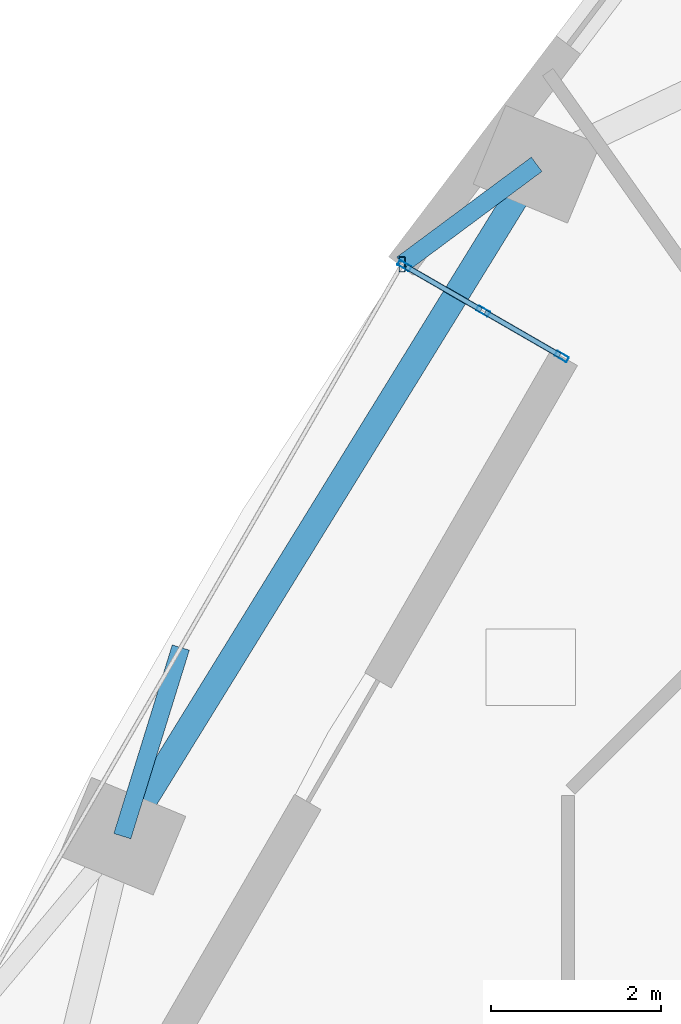
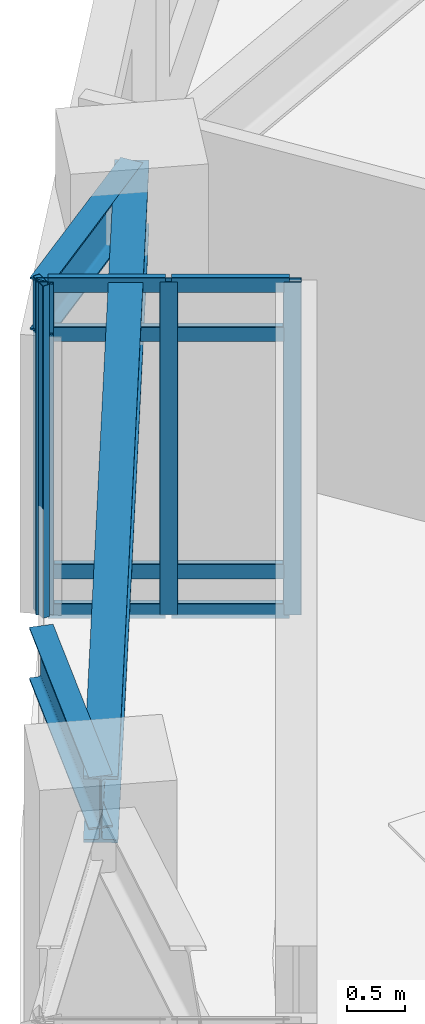
# One storey, part 3 of 12: 12 members, 3 beams, 1 element without a shape of its own.
"""IFC4 building model written with IfcOpenShell, lengths in metres."""

from ifc_helpers import new_model, si_unit, direction, frame, origin, origin_2d, place, context, subcontext, project, spatial, hollow_rectangle, i_section, extrude, material, layer, layer_set, material_profile, profile_set, type_object, element, aggregate, save


model = new_model("IFC4")

# Units and contexts
model_context = context("Model", 3, precision=1e-05, world=origin(), true_north=direction((0.0, 1.0)))
body_context = subcontext(model_context, "Body", "Model", "MODEL_VIEW")
ifc_project = project(units=[si_unit("LENGTHUNIT", "METRE"), si_unit("AREAUNIT", "SQUARE_METRE"), si_unit("VOLUMEUNIT", "CUBIC_METRE"), si_unit("PLANEANGLEUNIT", "RADIAN"), si_unit("MASSUNIT", "GRAM", prefix="KILO")], contexts=[model_context])

# Site, building, storey
site_placement = place(None, origin())
site = spatial("IfcSite", under=ifc_project, at=site_placement, CompositionType="ELEMENT")
building_placement = place(site_placement, origin())
building = spatial("IfcBuilding", under=site, at=building_placement, Name="Ndelora Gate Hotel", CompositionType="ELEMENT")
storey_placement = place(building_placement, frame((0.0, 0.0, 38.0)))
storey = spatial("IfcBuildingStorey", under=building, at=storey_placement, Name="L08", CompositionType="ELEMENT", Elevation=38.0)

# Beams
ifc_material_1 = material(Name="Steel S355", Category="steel")
ifc_material_profile_1 = material_profile(ifc_material_1, i_section(OverallWidth=0.2099609375, OverallDepth=0.550048828125, WebThickness=0.010986328125, FlangeThickness=0.01708984375, FilletRadius=0.02392578125, at=origin_2d()), Name="IPE 550")
ifc_profile_set_1 = profile_set([ifc_material_profile_1], Name="Steel S355")
beam_type_1 = type_object("IfcBeamType", Name="BM-RAD-550", PredefinedType="BEAM", material=ifc_profile_set_1)
beam_1_placement = place(storey_placement, frame((-11.1484375, 14.529052734375, 3.22509765625), z_axis=(-0.802801463818, -0.596246433693, 0.0), x_axis=(0.596246433693, -0.802801463818, 0.0)))
element("IfcBeam", 1, at=beam_1_placement, inside=storey, type_object=beam_type_1, Name="L08 Sky-Garden Loggia Column Bracket 1", PredefinedType="BEAM", context=body_context, shape_type="SweptSolid", body=[
    extrude(i_section(OverallWidth=0.2099609375, OverallDepth=0.550048828125, WebThickness=0.010986328125, FlangeThickness=0.01708984375, FilletRadius=0.02392578125, at=origin_2d()), origin(), (0.0, 0.0, 1.0), 1.97021484375),
])
beam_2_placement = place(storey_placement, frame((-16.016845703125, 6.634521484375, 3.22509765625), z_axis=(0.295985494435, 0.955192434583, 0.0), x_axis=(-0.955192434583, 0.295985494435, 0.0)))
element("IfcBeam", 2, at=beam_2_placement, inside=storey, type_object=beam_type_1, Name="L08 Sky-Garden Loggia Column Bracket 2", PredefinedType="BEAM", context=body_context, shape_type="SweptSolid", body=[
    extrude(i_section(OverallWidth=0.2099609375, OverallDepth=0.550048828125, WebThickness=0.010986328125, FlangeThickness=0.01708984375, FilletRadius=0.02392578125, at=origin_2d()), origin(), (0.0, 0.0, 1.0), 2.3203125),
])
ifc_material_profile_2 = material_profile(ifc_material_1, i_section(OverallWidth=0.300048828125, OverallDepth=0.699951171875, WebThickness=0.01708984375, FlangeThickness=0.031982421875, FilletRadius=0.027099609375, at=origin_2d()), Name="HEB 700")
ifc_profile_set_2 = profile_set([ifc_material_profile_2], Name="Steel S355")
beam_type_2 = type_object("IfcBeamType", Name="BM-RING-700", PredefinedType="SPANDREL", material=ifc_profile_set_2)
beam_3_placement = place(storey_placement, frame((-11.1484375, 14.529052734375, 3.14990234375), z_axis=(-0.524897602516, -0.851165381623, 0.0), x_axis=(0.851165381623, -0.524897602516, 0.0)))
element("IfcBeam", 3, at=beam_3_placement, inside=storey, type_object=beam_type_2, Name="L08 Perimeter Spandrel Girder 2", PredefinedType="SPANDREL", context=body_context, shape_type="SweptSolid", body=[
    extrude(i_section(OverallWidth=0.300048828125, OverallDepth=0.699951171875, WebThickness=0.01708984375, FlangeThickness=0.031982421875, FilletRadius=0.027099609375, at=origin_2d()), origin(), (0.0, 0.0, 1.0), 9.27490234375),
])

# Curtain wall, members
ifc_material_2 = material(Name="Bronze Anodised Unitised Aluminium and Low-E Glass", Category="aluminium")
ifc_layer = layer(ifc_material_2, 0.199951171875)
ifc_layer_set = layer_set([ifc_layer], Name="Bronze Anodised Unitised Aluminium and Low-E Glass")
curtain_wall_type = type_object("IfcCurtainWallType", Name="CW-SYS-3", PredefinedType="NOTDEFINED", material=ifc_layer_set)
curtain_wall_placement = place(storey_placement, origin())
curtain_wall = element("IfcCurtainWall", 4, at=curtain_wall_placement, inside=storey, type_object=curtain_wall_type, Name="L08 Sky-Garden Loggia Side Curtain Wall CW3-1", PredefinedType="NOTDEFINED")
ifc_material_3 = material(Name="Bronze Anodised Aluminium 6063-T6", Category="aluminium")
ifc_material_profile_3 = material_profile(ifc_material_3, hollow_rectangle(XDim=0.06494140625, YDim=0.159912109375, WallThickness=0.00390625, InnerFilletRadius=0.00390625, OuterFilletRadius=0.008056640625, at=origin_2d()), Name="ALU 160x65x4")
ifc_profile_set_3 = profile_set([ifc_material_profile_3], Name="Bronze Anodised Aluminium 6063-T6")
member_type_1 = type_object("IfcMemberType", Name="MB-CW-MUL150", PredefinedType="MULLION", material=ifc_profile_set_3)
member_1_placement = place(storey_placement, frame((-10.85302734375, 12.2705078125, -0.00390625), z_axis=(0.0, 0.0, 1.0), x_axis=(-0.499991317892, -0.866030416344, 0.0)))
member_1 = element("IfcMember", 5, at=member_1_placement, type_object=member_type_1, Name="CW3 mullion 1", PredefinedType="MULLION", context=body_context, shape_type="SweptSolid", body=[
    extrude(hollow_rectangle(XDim=0.06494140625, YDim=0.159912109375, WallThickness=0.00390625, InnerFilletRadius=0.00390625, OuterFilletRadius=0.008056640625, at=origin_2d()), origin(), (0.0, 0.0, 1.0), 3.5078125),
])
member_2_placement = place(storey_placement, frame((-11.777587890625, 12.80419921875, -0.00390625), z_axis=(0.0, 0.0, 1.0), x_axis=(-0.499991317892, -0.866030416344, 0.0)))
member_2 = element("IfcMember", 6, at=member_2_placement, type_object=member_type_1, Name="CW3 mullion 2", PredefinedType="MULLION", context=body_context, shape_type="SweptSolid", body=[
    extrude(hollow_rectangle(XDim=0.06494140625, YDim=0.159912109375, WallThickness=0.00390625, InnerFilletRadius=0.00390625, OuterFilletRadius=0.008056640625, at=origin_2d()), origin(), (0.0, 0.0, 1.0), 3.5078125),
])
member_3_placement = place(storey_placement, frame((-12.7021484375, 13.337890625, -0.00390625), z_axis=(0.0, 0.0, 1.0), x_axis=(-0.499991317892, -0.866030416344, 0.0)))
member_3 = element("IfcMember", 7, at=member_3_placement, type_object=member_type_1, Name="CW3 mullion 3", PredefinedType="MULLION", context=body_context, shape_type="SweptSolid", body=[
    extrude(hollow_rectangle(XDim=0.06494140625, YDim=0.159912109375, WallThickness=0.00390625, InnerFilletRadius=0.00390625, OuterFilletRadius=0.008056640625, at=origin_2d()), origin(), (0.0, 0.0, 1.0), 3.5078125),
])
ifc_material_profile_4 = material_profile(ifc_material_3, hollow_rectangle(XDim=0.070068359375, YDim=0.179931640625, WallThickness=0.0048828125, InnerFilletRadius=0.0048828125, OuterFilletRadius=0.010009765625, at=origin_2d()), Name="ALU 180x70x5")
ifc_profile_set_4 = profile_set([ifc_material_profile_4], Name="Bronze Anodised Aluminium 6063-T6")
member_type_2 = type_object("IfcMemberType", Name="MB-CW-MUL180", PredefinedType="MULLION", material=ifc_profile_set_4)
member_4_placement = place(storey_placement, frame((-12.730224609375, 13.354248046875, 0.0), z_axis=(0.0, 0.0, 1.0), x_axis=(1.0, 0.0, 0.0)))
member_4 = element("IfcMember", 8, at=member_4_placement, type_object=member_type_2, Name="L08 Sky-Garden Loggia Corner Mullion Post 1", PredefinedType="MULLION", context=body_context, shape_type="SweptSolid", body=[
    extrude(hollow_rectangle(XDim=0.070068359375, YDim=0.179931640625, WallThickness=0.0048828125, InnerFilletRadius=0.0048828125, OuterFilletRadius=0.010009765625, at=origin_2d()), origin(), (0.0, 0.0, 1.0), 3.5),
])
ifc_material_profile_5 = material_profile(ifc_material_3, hollow_rectangle(XDim=0.06494140625, YDim=0.159912109375, WallThickness=0.00390625, InnerFilletRadius=0.00390625, OuterFilletRadius=0.008056640625, at=origin_2d()), Name="ALU 160x65x4")
ifc_profile_set_5 = profile_set([ifc_material_profile_5], Name="Bronze Anodised Aluminium 6063-T6")
member_type_3 = type_object("IfcMemberType", Name="MB-CW-TRN150", PredefinedType="USERDEFINED", material=ifc_profile_set_5)
member_5_placement = place(storey_placement, frame((-10.8759765625, 12.28369140625, 0.032470703125), z_axis=(-0.866013277291, 0.500021003115, 0.0), x_axis=(-0.500021003115, -0.866013277291, 0.0)))
member_5 = element("IfcMember", 9, at=member_5_placement, type_object=member_type_3, Name="CW3 transom 1.1", ObjectType="TRANSOM", PredefinedType="USERDEFINED", context=body_context, shape_type="SweptSolid", body=[
    extrude(hollow_rectangle(XDim=0.06494140625, YDim=0.159912109375, WallThickness=0.00390625, InnerFilletRadius=0.00390625, OuterFilletRadius=0.008056640625, at=origin_2d()), origin(), (0.0, 0.0, 1.0), 1.0146484375),
])
member_6_placement = place(storey_placement, frame((-10.8759765625, 12.28369140625, 0.449951171875), z_axis=(-0.866013277291, 0.500021003115, 0.0), x_axis=(-0.500021003115, -0.866013277291, 0.0)))
member_6 = element("IfcMember", 10, at=member_6_placement, type_object=member_type_3, Name="CW3 transom 1.2", ObjectType="TRANSOM", PredefinedType="USERDEFINED", context=body_context, shape_type="SweptSolid", body=[
    extrude(hollow_rectangle(XDim=0.06494140625, YDim=0.159912109375, WallThickness=0.00390625, InnerFilletRadius=0.00390625, OuterFilletRadius=0.008056640625, at=origin_2d()), origin(), (0.0, 0.0, 1.0), 1.0146484375),
])
member_7_placement = place(storey_placement, frame((-10.8759765625, 12.28369140625, 2.949951171875), z_axis=(-0.866013277291, 0.500021003115, 0.0), x_axis=(-0.500021003115, -0.866013277291, 0.0)))
member_7 = element("IfcMember", 11, at=member_7_placement, type_object=member_type_3, Name="CW3 transom 1.3", ObjectType="TRANSOM", PredefinedType="USERDEFINED", context=body_context, shape_type="SweptSolid", body=[
    extrude(hollow_rectangle(XDim=0.06494140625, YDim=0.159912109375, WallThickness=0.00390625, InnerFilletRadius=0.00390625, OuterFilletRadius=0.008056640625, at=origin_2d()), origin(), (0.0, 0.0, 1.0), 1.0146484375),
])
member_8_placement = place(storey_placement, frame((-10.8759765625, 12.28369140625, 3.467529296875), z_axis=(-0.866013277291, 0.500021003115, 0.0), x_axis=(-0.500021003115, -0.866013277291, 0.0)))
member_8 = element("IfcMember", 12, at=member_8_placement, type_object=member_type_3, Name="CW3 transom 1.4", ObjectType="TRANSOM", PredefinedType="USERDEFINED", context=body_context, shape_type="SweptSolid", body=[
    extrude(hollow_rectangle(XDim=0.06494140625, YDim=0.159912109375, WallThickness=0.00390625, InnerFilletRadius=0.00390625, OuterFilletRadius=0.008056640625, at=origin_2d()), origin(), (0.0, 0.0, 1.0), 1.0146484375),
])
member_9_placement = place(storey_placement, frame((-11.800537109375, 12.8173828125, 0.032470703125), z_axis=(-0.866013277291, 0.500021003115, 0.0), x_axis=(-0.500021003115, -0.866013277291, 0.0)))
member_9 = element("IfcMember", 13, at=member_9_placement, type_object=member_type_3, Name="CW3 transom 2.1", ObjectType="TRANSOM", PredefinedType="USERDEFINED", context=body_context, shape_type="SweptSolid", body=[
    extrude(hollow_rectangle(XDim=0.06494140625, YDim=0.159912109375, WallThickness=0.00390625, InnerFilletRadius=0.00390625, OuterFilletRadius=0.008056640625, at=origin_2d()), origin(), (0.0, 0.0, 1.0), 1.0146484375),
])
member_10_placement = place(storey_placement, frame((-11.800537109375, 12.8173828125, 0.449951171875), z_axis=(-0.866013277291, 0.500021003115, 0.0), x_axis=(-0.500021003115, -0.866013277291, 0.0)))
member_10 = element("IfcMember", 14, at=member_10_placement, type_object=member_type_3, Name="CW3 transom 2.2", ObjectType="TRANSOM", PredefinedType="USERDEFINED", context=body_context, shape_type="SweptSolid", body=[
    extrude(hollow_rectangle(XDim=0.06494140625, YDim=0.159912109375, WallThickness=0.00390625, InnerFilletRadius=0.00390625, OuterFilletRadius=0.008056640625, at=origin_2d()), origin(), (0.0, 0.0, 1.0), 1.0146484375),
])
member_11_placement = place(storey_placement, frame((-11.800537109375, 12.8173828125, 2.949951171875), z_axis=(-0.866013277291, 0.500021003115, 0.0), x_axis=(-0.500021003115, -0.866013277291, 0.0)))
member_11 = element("IfcMember", 15, at=member_11_placement, type_object=member_type_3, Name="CW3 transom 2.3", ObjectType="TRANSOM", PredefinedType="USERDEFINED", context=body_context, shape_type="SweptSolid", body=[
    extrude(hollow_rectangle(XDim=0.06494140625, YDim=0.159912109375, WallThickness=0.00390625, InnerFilletRadius=0.00390625, OuterFilletRadius=0.008056640625, at=origin_2d()), origin(), (0.0, 0.0, 1.0), 1.0146484375),
])
member_12_placement = place(storey_placement, frame((-11.800537109375, 12.8173828125, 3.467529296875), z_axis=(-0.866013277291, 0.500021003115, 0.0), x_axis=(-0.500021003115, -0.866013277291, 0.0)))
member_12 = element("IfcMember", 16, at=member_12_placement, type_object=member_type_3, Name="CW3 transom 2.4", ObjectType="TRANSOM", PredefinedType="USERDEFINED", context=body_context, shape_type="SweptSolid", body=[
    extrude(hollow_rectangle(XDim=0.06494140625, YDim=0.159912109375, WallThickness=0.00390625, InnerFilletRadius=0.00390625, OuterFilletRadius=0.008056640625, at=origin_2d()), origin(), (0.0, 0.0, 1.0), 1.0146484375),
])
aggregate(curtain_wall, [member_1, member_2, member_3, member_5, member_6, member_7, member_8, member_9, member_10, member_11, member_12, member_4])

save(model, "model.ifc")
